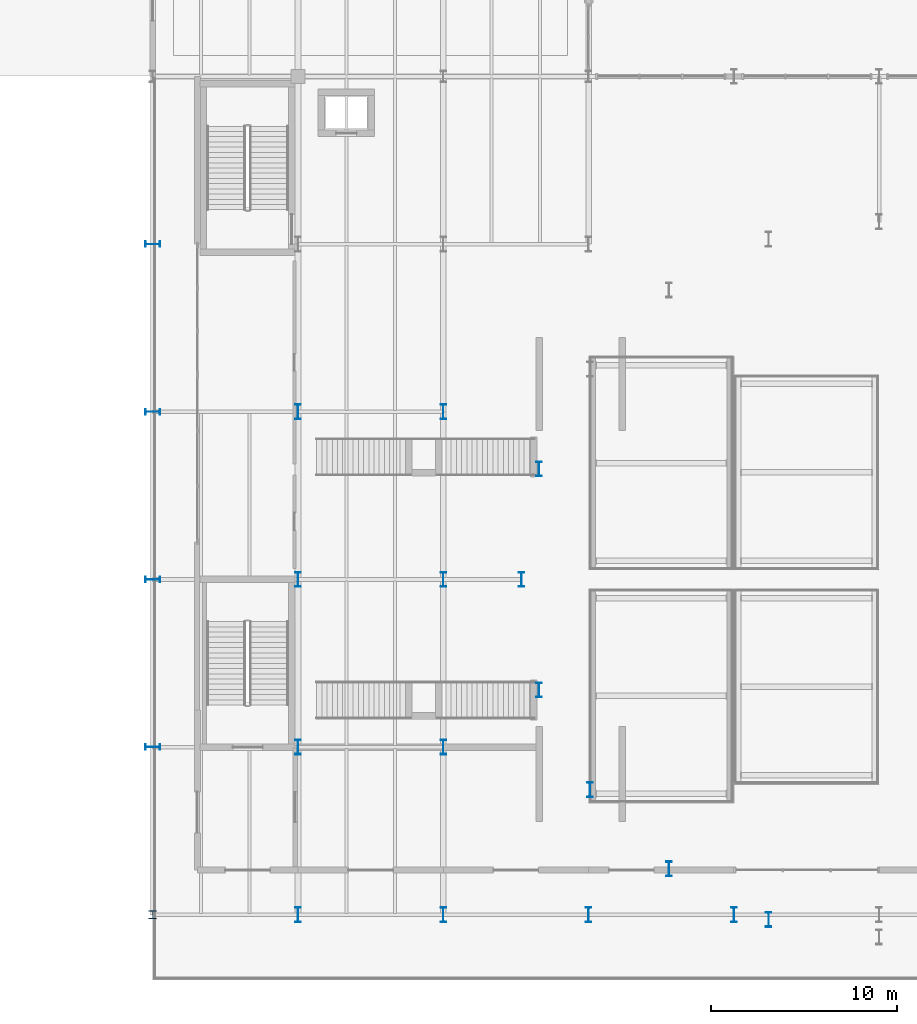
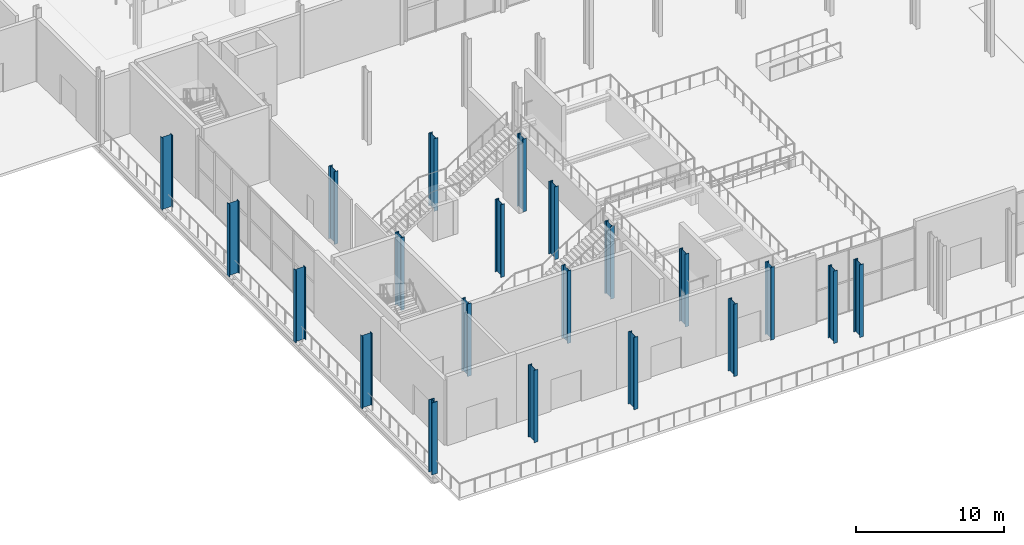
# One storey, part 1 of 84: 21 columns.
"""IFC4 building model written with IfcOpenShell, lengths in metres."""

from ifc_helpers import new_model, si_unit, direction, frame, origin, origin_2d, place, context, subcontext, project, spatial, i_section, extrude, material, material_profile, profile_set, type_object, element, save


model = new_model("IFC4")

# Units and contexts
model_context = context("Model", 3, precision=1e-05, world=origin(), true_north=direction((0.0, 1.0)))
body_context = subcontext(model_context, "Body", "Model", "MODEL_VIEW")
ifc_project = project(units=[si_unit("LENGTHUNIT", "METRE"), si_unit("AREAUNIT", "SQUARE_METRE"), si_unit("VOLUMEUNIT", "CUBIC_METRE"), si_unit("PLANEANGLEUNIT", "RADIAN"), si_unit("MASSUNIT", "GRAM", prefix="KILO")], contexts=[model_context])

# Site, building, storey
site_placement = place(None, origin())
site = spatial("IfcSite", under=ifc_project, at=site_placement, CompositionType="ELEMENT")
building_placement = place(site_placement, origin())
building = spatial("IfcBuilding", under=site, at=building_placement, Name="Sefraquen Railside Congress Hotel", CompositionType="ELEMENT")
storey_placement = place(building_placement, origin())
storey = spatial("IfcBuildingStorey", under=building, at=storey_placement, Name="L00", CompositionType="ELEMENT", Elevation=0.0)

# Columns
ifc_material_1 = material(Name="Steel S355J2", Category="steel")
ifc_material_profile_1 = material_profile(ifc_material_1, i_section(OverallWidth=0.424072265625, OverallDepth=0.47412109375, WebThickness=0.044921875, FlangeThickness=0.054931640625, FilletRadius=0.014892578125, at=origin_2d()), Name="HD 400x634")
ifc_profile_set_1 = profile_set([ifc_material_profile_1], Name="Steel S355J2")
column_type_1 = type_object("IfcColumnType", Name="TC-HD-634", PredefinedType="COLUMN", material=ifc_profile_set_1)
column_placement = place(storey_placement, frame((25.199951171875, 9.0, 0.0), z_axis=(0.0, 0.0, 1.0), x_axis=(1.0, 0.0, 0.0)))
element("IfcColumn", 1, at=column_placement, inside=storey, type_object=column_type_1, Name="Structural column 4-B L00", PredefinedType="COLUMN", context=body_context, shape_type="SweptSolid", body=[
    extrude(i_section(OverallWidth=0.424072265625, OverallDepth=0.47412109375, WebThickness=0.044921875, FlangeThickness=0.054931640625, FilletRadius=0.014892578125, at=origin_2d()), origin(), (0.0, 0.0, 1.0), 5.951904296875),
])
ifc_material_2 = material(Name="Steel S355JR", Category="steel")
ifc_material_profile_2 = material_profile(ifc_material_2, i_section(OverallWidth=0.300048828125, OverallDepth=0.800048828125, WebThickness=0.017578125, FlangeThickness=0.032958984375, FilletRadius=0.030029296875, at=origin_2d()), Name="HEB 800")
ifc_profile_set_2 = profile_set([ifc_material_profile_2], Name="Steel S355JR")
column_type_2 = type_object("IfcColumnType", Name="TC-HEB-800", PredefinedType="COLUMN", material=ifc_profile_set_2)
for number, where, z_axis, x_axis, name in (
    (2, (33.0, 9.0, 0.0), (0.0, 0.0, 1.0), (1.0, 0.0, 0.0), "Structural column 5-B L00"),
    (3, (40.800048828125, 9.0, 0.0), (0.0, 0.0, 1.0), (1.0, 0.0, 0.0), "Structural column 6-B L00"),
    (4, (48.60009765625, 9.0, 0.0), (0.0, 0.0, 1.0), (1.0, 0.0, 0.0), "Structural column 7-B L00"),
    (5, (56.39990234375, 9.0, 0.0), (0.0, 0.0, 1.0), (1.0, 0.0, 0.0), "Structural column 8-B L00"),
    (6, (25.199951171875, 18.0, 0.0), (0.0, 0.0, 1.0), (0.0, 1.0, 0.0), "Structural column 4-C L00"),
    (7, (25.199951171875, 27.0, 0.0), (0.0, 0.0, 1.0), (0.0, 1.0, 0.0), "Structural column 4-D L00"),
    (8, (25.199951171875, 36.0, 0.0), (0.0, 0.0, 1.0), (0.0, 1.0, 0.0), "Structural column 4-E L00"),
    (9, (25.199951171875, 45.0, 0.0), (0.0, 0.0, 1.0), (0.0, 1.0, 0.0), "Structural column 4-F L00"),
):
    element("IfcColumn", number, at=place(storey_placement, frame(where, z_axis=z_axis, x_axis=x_axis)), inside=storey, type_object=column_type_2, Name=name, PredefinedType="COLUMN", context=body_context, shape_type="SweptSolid", body=[
        extrude(i_section(OverallWidth=0.300048828125, OverallDepth=0.800048828125, WebThickness=0.017578125, FlangeThickness=0.032958984375, FilletRadius=0.030029296875, at=origin_2d()), origin(), (0.0, 0.0, 1.0), 5.969970703125),
    ])
for number, where, z_axis, x_axis, name in (
    (10, (33.0, 18.0, 0.0), (0.0, 0.0, 1.0), (1.0, 0.0, 0.0), "Structural column 5-C L00"),
    (11, (33.0, 27.0, 0.0), (0.0, 0.0, 1.0), (1.0, 0.0, 0.0), "Structural column 5-D L00"),
    (12, (33.0, 36.0, 0.0), (0.0, 0.0, 1.0), (1.0, 0.0, 0.0), "Structural column 5-E L00"),
    (13, (40.800048828125, 18.0, 0.0), (0.0, 0.0, 1.0), (1.0, 0.0, 0.0), "Structural column 6-C L00"),
    (14, (40.800048828125, 27.0, 0.0), (0.0, 0.0, 1.0), (1.0, 0.0, 0.0), "Structural column 6-D L00"),
    (15, (40.800048828125, 36.0, 0.0), (0.0, 0.0, 1.0), (1.0, 0.0, 0.0), "Structural column 6-E L00"),
    (16, (45.939697265625, 32.93310546875, 0.0), (0.0, 0.0, 1.0), (1.0, 0.0, 0.0), "Structural column DRM-10 L00"),
    (17, (45.0, 27.0, 0.0), (0.0, 0.0, 1.0), (1.0, 0.0, 0.0), "Structural column DRM-11 L00"),
    (18, (45.939697265625, 21.06689453125, 0.0), (0.0, 0.0, 1.0), (1.0, 0.0, 0.0), "Structural column DRM-12 L00"),
    (19, (48.6669921875, 15.714599609375, 0.0), (0.0, 0.0, 1.0), (1.0, 0.0, 0.0), "Structural column DRM-13 L00"),
    (20, (52.91455078125, 11.466796875, 0.0), (0.0, 0.0, 1.0), (1.0, 0.0, 0.0), "Structural column DRM-14 L00"),
    (21, (58.266845703125, 8.73974609375, 0.0), (0.0, 0.0, 1.0), (1.0, 0.0, 0.0), "Structural column DRM-15 L00"),
):
    element("IfcColumn", number, at=place(storey_placement, frame(where, z_axis=z_axis, x_axis=x_axis)), inside=storey, type_object=column_type_2, Name=name, PredefinedType="COLUMN", context=body_context, shape_type="SweptSolid", body=[
        extrude(i_section(OverallWidth=0.300048828125, OverallDepth=0.800048828125, WebThickness=0.017578125, FlangeThickness=0.032958984375, FilletRadius=0.030029296875, at=origin_2d()), origin(), (0.0, 0.0, 1.0), 6.0),
    ])

save(model, "model.ifc")
